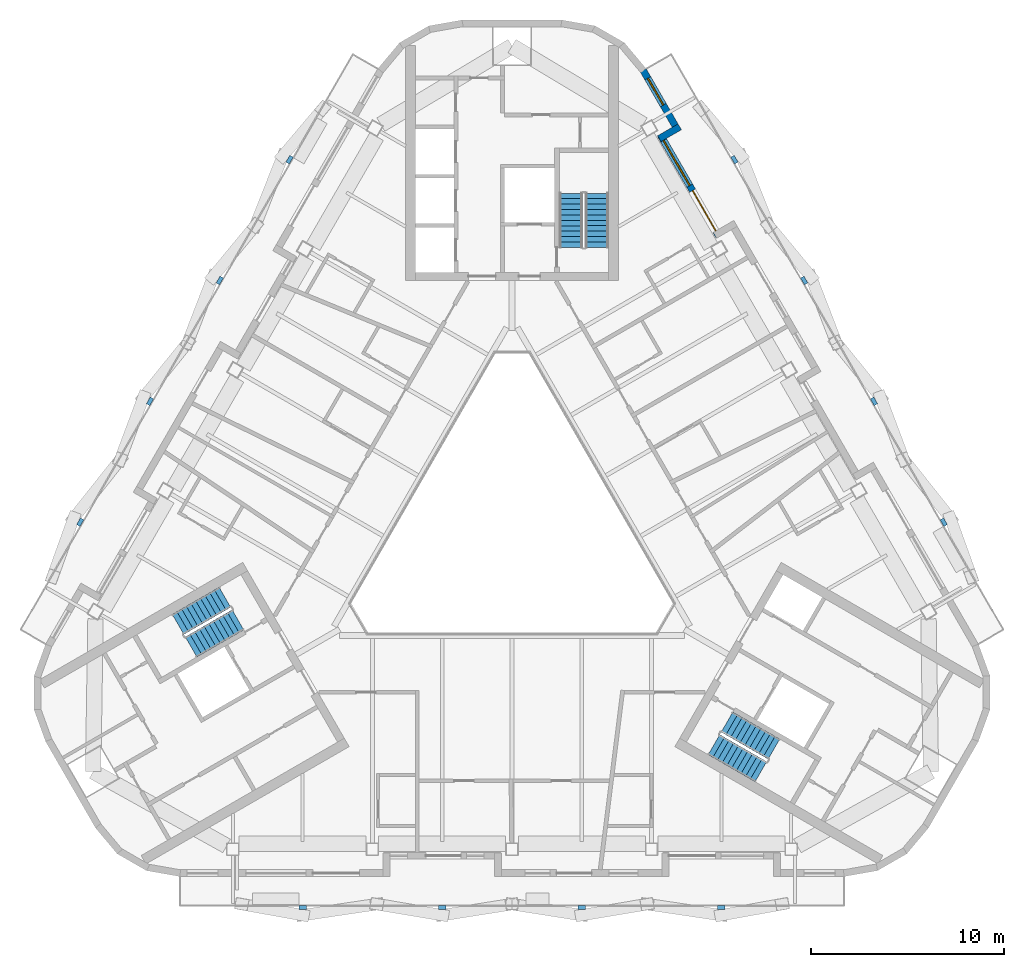
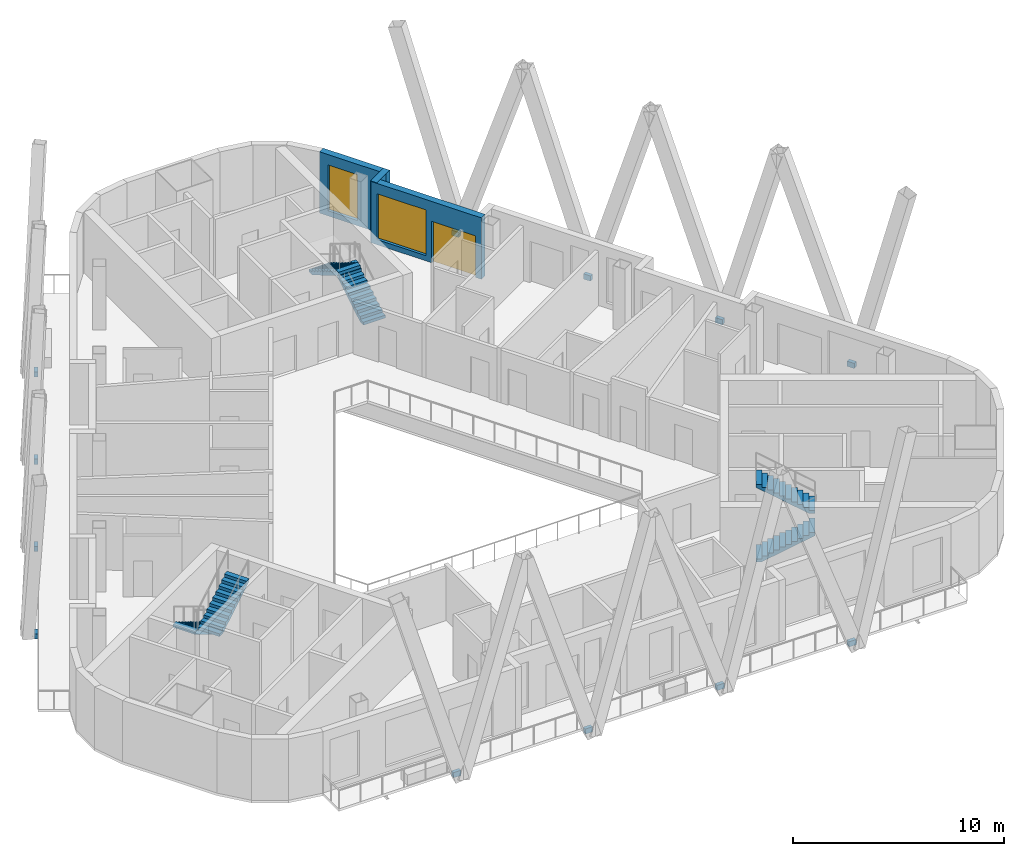
# One storey, part 8 of 13: 12 discrete accessories, 6 stair flights, 3 walls, 2 windows, 1 door, 3 openings, 3 elements without a shape of their own.
"""IFC4 building model written with IfcOpenShell, lengths in metres."""

from ifc_helpers import new_model, si_unit, direction, frame, frame_2d, origin, origin_2d, place, context, subcontext, project, spatial, polyline, rectangle, outline, extrude, material, layer, layer_set, type_object, element, fill, aggregate, save


model = new_model("IFC4")

# Units and contexts
model_context = context("Model", 3, precision=1e-05, world=origin(), true_north=direction((0.0, 1.0)))
body_context = subcontext(model_context, "Body", "Model", "MODEL_VIEW")
ifc_project = project(units=[si_unit("LENGTHUNIT", "METRE"), si_unit("AREAUNIT", "SQUARE_METRE"), si_unit("VOLUMEUNIT", "CUBIC_METRE"), si_unit("PLANEANGLEUNIT", "RADIAN"), si_unit("MASSUNIT", "GRAM", prefix="KILO")], contexts=[model_context])

# Site, building, storey
site_placement = place(None, origin())
site = spatial("IfcSite", under=ifc_project, at=site_placement, CompositionType="ELEMENT")
building_placement = place(site_placement, origin())
building = spatial("IfcBuilding", under=site, at=building_placement, Name="Apuvela Tower Hotel", CompositionType="ELEMENT")
storey_placement = place(building_placement, frame((0.0, 0.0, 280.0)))
storey = spatial("IfcBuildingStorey", under=building, at=storey_placement, Name="L69", CompositionType="ELEMENT", Elevation=280.0)

# Wall, openings, door, window
ifc_material_1 = material(Name="Concrete C40/50, dark pigmented precast panel", Category="concrete")
ifc_layer = layer(ifc_material_1, 0.35009765625)
ifc_layer_set = layer_set([ifc_layer], Name="ENV-WALL-350")
wall_type = type_object("IfcWallType", Name="ENV-WALL-350", PredefinedType="SOLIDWALL", material=ifc_layer_set)
wall_1_placement = place(storey_placement, frame((10.697998046875, 15.177978515625, 0.0), z_axis=(0.0, 0.0, 1.0), x_axis=(-0.499985371027, 0.866033849661, 0.0)))
wall_1 = element("IfcWall", 1, at=wall_1_placement, inside=storey, type_object=wall_type, Name="External wall L69-39", PredefinedType="SOLIDWALL", context=body_context, shape_type="SweptSolid", body=[
    extrude(rectangle(XDim=6.055419921875, YDim=0.35009765625, at=frame_2d((3.02783203125, 0.0))), origin(), (0.0, 0.0, 1.0), 3.550048828125),
])
opening_1_placement = place(wall_1_placement, frame((0.320068359375, 0.0, 0.0)))
opening_1 = element("IfcOpeningElement", 2, at=opening_1_placement, cuts=wall_1, Name="Opening BD24", PredefinedType="OPENING", context=body_context, shape_type="SweptSolid", body=[
    extrude(rectangle(XDim=2.39990234375, YDim=2.39990234375, at=frame_2d((1.199951171875, 1.199951171875))), frame((0.0, 0.18505859375, 0.0), z_axis=(0.0, -1.0, 0.0), x_axis=(1.0, 0.0, 0.0)), (0.0, 0.0, 1.0), 0.3701171875),
])
opening_2_placement = place(wall_1_placement, frame((3.02001953125, 0.0, 0.300048828125)))
opening_2 = element("IfcOpeningElement", 3, at=opening_2_placement, cuts=wall_1, Name="Opening WN27", PredefinedType="OPENING", context=body_context, shape_type="SweptSolid", body=[
    extrude(rectangle(XDim=2.699951171875, YDim=2.64990234375, at=frame_2d((1.35009765625, 1.324951171875))), frame((0.0, 0.18505859375, 0.0), z_axis=(0.0, -1.0, 0.0), x_axis=(1.0, 0.0, 0.0)), (0.0, 0.0, 1.0), 0.3701171875),
])
ifc_material_2 = material(Name="Aluminium 6063-T6, dark bronze anodised frame with dark tinted laminated glass", Category="aluminium")
door_type = type_object("IfcDoorType", Name="ENV-DOOR-BALCONY-2400x2400", OperationType="SLIDING_TO_LEFT", PredefinedType="DOOR", material=ifc_material_2)
door_placement = place(opening_1_placement, frame((2.39990234375, 0.0, 0.0), z_axis=(0.0, 0.0, 1.0), x_axis=(-1.0, 0.0, 0.0)))
door = element("IfcDoor", 4, at=door_placement, inside=storey, type_object=door_type, Name="Balcony door BD24", OperationType="SLIDING_TO_LEFT", OverallHeight=2.39990234375, OverallWidth=2.39990234375, PredefinedType="DOOR", context=body_context, shape_type="SweptSolid", body=[
    extrude(rectangle(XDim=2.39990234375, YDim=2.39990234375, at=frame_2d((1.199951171875, 1.199951171875))), frame((0.0, 0.02490234375, 0.0), z_axis=(0.0, -1.0, 0.0), x_axis=(1.0, 0.0, 0.0)), (0.0, 0.0, 1.0), 0.050048828125),
])
fill(opening_1, door)
ifc_material_3 = material(Name="Glass, dark tinted laminated insulated glazing unit", Category="glass")
window_type_1 = type_object("IfcWindowType", Name="ENV-WIN-2700x2650", PartitioningType="SINGLE_PANEL", PredefinedType="WINDOW", material=ifc_material_3)
window_1_placement = place(opening_2_placement, origin())
window_1 = element("IfcWindow", 5, at=window_1_placement, inside=storey, type_object=window_type_1, Name="Window WN27", OverallHeight=2.64990234375, OverallWidth=2.699951171875, PartitioningType="SINGLE_PANEL", PredefinedType="WINDOW", context=body_context, shape_type="SweptSolid", body=[
    extrude(rectangle(XDim=2.699951171875, YDim=2.64990234375, at=frame_2d((1.35009765625, 1.324951171875))), frame((0.0, 0.030029296875, 0.0), z_axis=(0.0, -1.0, 0.0), x_axis=(1.0, 0.0, 0.0)), (0.0, 0.0, 1.0), 0.06005859375),
])
fill(opening_2, window_1)

# Wall
wall_2_placement = place(storey_placement, frame((7.6171875, 20.223876953125, 0.0), z_axis=(0.0, 0.0, 1.0), x_axis=(0.866005645448, 0.500034220881, 0.0)))
element("IfcWall", 6, at=wall_2_placement, inside=storey, type_object=wall_type, Name="External wall L69-40", PredefinedType="SOLIDWALL", context=body_context, shape_type="SweptSolid", body=[
    extrude(rectangle(XDim=1.22021484375, YDim=0.35009765625, at=frame_2d((0.610107421875, 0.0))), origin(), (0.0, 0.0, 1.0), 3.550048828125),
])

# Wall, opening, window
wall_3_placement = place(storey_placement, frame((8.60986328125, 20.5947265625, 0.0), z_axis=(0.0, 0.0, 1.0), x_axis=(-0.499990402704, 0.866030944715, 0.0)))
wall_3 = element("IfcWall", 7, at=wall_3_placement, inside=storey, type_object=wall_type, Name="External wall L69-41", PredefinedType="SOLIDWALL", context=body_context, shape_type="SweptSolid", body=[
    extrude(rectangle(XDim=3.654296875, YDim=0.35009765625, at=frame_2d((1.8271484375, 0.0))), origin(), (0.0, 0.0, 1.0), 3.550048828125),
])
opening_3_placement = place(wall_3_placement, frame((1.5751953125, 0.0, 0.300048828125)))
opening_3 = element("IfcOpeningElement", 8, at=opening_3_placement, cuts=wall_3, Name="Opening WN16", PredefinedType="OPENING", context=body_context, shape_type="SweptSolid", body=[
    extrude(rectangle(XDim=1.60009765625, YDim=2.64990234375, at=frame_2d((0.800048828125, 1.324951171875))), frame((0.0, 0.18505859375, 0.0), z_axis=(0.0, -1.0, 0.0), x_axis=(1.0, 0.0, 0.0)), (0.0, 0.0, 1.0), 0.3701171875),
])
window_type_2 = type_object("IfcWindowType", Name="ENV-WIN-1600x2650", PartitioningType="SINGLE_PANEL", PredefinedType="WINDOW", material=ifc_material_3)
window_2_placement = place(opening_3_placement, origin())
window_2 = element("IfcWindow", 9, at=window_2_placement, inside=storey, type_object=window_type_2, Name="Window WN16", OverallHeight=2.64990234375, OverallWidth=1.60009765625, PartitioningType="SINGLE_PANEL", PredefinedType="WINDOW", context=body_context, shape_type="SweptSolid", body=[
    extrude(rectangle(XDim=1.60009765625, YDim=2.64990234375, at=frame_2d((0.800048828125, 1.324951171875))), frame((0.0, 0.030029296875, 0.0), z_axis=(0.0, -1.0, 0.0), x_axis=(1.0, 0.0, 0.0)), (0.0, 0.0, 1.0), 0.06005859375),
])
fill(opening_3, window_2)

# Stair, stair flights
ifc_material_4 = material(Name="Concrete C50/60", Category="concrete")
stair_type = type_object("IfcStairType", Name="COR-STAIR-22R", PredefinedType="HALF_TURN_STAIR", material=ifc_material_4)
stair_1_placement = place(storey_placement, origin())
stair_1 = element("IfcStair", 10, at=stair_1_placement, inside=storey, type_object=stair_type, Name="L69 Exit stair ST1", PredefinedType="HALF_TURN_STAIR")
stair_flight_type = type_object("IfcStairFlightType", Name="COR-FLIGHT-11R", PredefinedType="STRAIGHT", material=ifc_material_4)
stair_flight_1_placement = place(storey_placement, frame((4.39990234375, 14.60009765625, 0.0), z_axis=(0.0, 0.0, 1.0), x_axis=(0.0, 1.0, 0.0)))
stair_flight_1 = element("IfcStairFlight", 11, at=stair_flight_1_placement, type_object=stair_flight_type, Name="ST1 flight 1", NumberOfRisers=11, NumberOfTreads=10, PredefinedType="STRAIGHT", RiserHeight=0.168181818, TreadLength=0.28, context=body_context, shape_type="SweptSolid", body=[
    extrude(outline(polyline([(0.0, 0.0), (0.0, 0.168212890625), (0.280029296875, 0.168212890625), (0.280029296875, 0.33642578125), (0.56005859375, 0.33642578125), (0.56005859375, 0.504638671875), (0.840087890625, 0.504638671875), (0.840087890625, 0.672607421875), (1.1201171875, 0.672607421875), (1.1201171875, 0.8408203125), (1.39990234375, 0.8408203125), (1.39990234375, 1.009033203125), (1.679931640625, 1.009033203125), (1.679931640625, 1.17724609375), (1.9599609375, 1.17724609375), (1.9599609375, 1.345458984375), (2.239990234375, 1.345458984375), (2.239990234375, 1.513671875), (2.52001953125, 1.513671875), (2.52001953125, 1.681884765625), (2.800048828125, 1.681884765625), (2.800048828125, 1.85009765625), (2.800048828125, 1.5068359375), (0.291015625, 0.0), (0.0, 0.0)])), frame((0.0, 0.60009765625, 0.0), z_axis=(0.0, -1.0, 0.0), x_axis=(1.0, 0.0, 0.0)), (0.0, 0.0, 1.0), 1.199951171875),
])
stair_flight_2_placement = place(storey_placement, frame((3.050048828125, 17.39990234375, 1.85009765625), z_axis=(0.0, 0.0, 1.0), x_axis=(0.0, -1.0, 0.0)))
stair_flight_2 = element("IfcStairFlight", 12, at=stair_flight_2_placement, type_object=stair_flight_type, Name="ST1 flight 2", NumberOfRisers=11, NumberOfTreads=10, PredefinedType="STRAIGHT", RiserHeight=0.168181818, TreadLength=0.28, context=body_context, shape_type="SweptSolid", body=[
    extrude(outline(polyline([(0.0, 0.0), (0.0, 0.168212890625), (0.280029296875, 0.168212890625), (0.280029296875, 0.33642578125), (0.56005859375, 0.33642578125), (0.56005859375, 0.504638671875), (0.840087890625, 0.504638671875), (0.840087890625, 0.672607421875), (1.1201171875, 0.672607421875), (1.1201171875, 0.8408203125), (1.39990234375, 0.8408203125), (1.39990234375, 1.009033203125), (1.679931640625, 1.009033203125), (1.679931640625, 1.17724609375), (1.9599609375, 1.17724609375), (1.9599609375, 1.345458984375), (2.239990234375, 1.345458984375), (2.239990234375, 1.513671875), (2.52001953125, 1.513671875), (2.52001953125, 1.681884765625), (2.800048828125, 1.681884765625), (2.800048828125, 1.85009765625), (2.800048828125, 1.5068359375), (0.291015625, 0.0), (0.0, 0.0)])), frame((0.0, 0.60009765625, 0.0), z_axis=(0.0, -1.0, 0.0), x_axis=(1.0, 0.0, 0.0)), (0.0, 0.0, 1.0), 1.199951171875),
])
aggregate(stair_1, [stair_flight_1, stair_flight_2])

stair_2_placement = place(storey_placement, origin())
stair_2 = element("IfcStair", 13, at=stair_2_placement, inside=storey, type_object=stair_type, Name="L69 Exit stair ST2", PredefinedType="HALF_TURN_STAIR")
stair_flight_3_placement = place(storey_placement, frame((-14.843994140625, -3.489501953125, 0.0), z_axis=(0.0, 0.0, 1.0), x_axis=(-0.866025403784, -0.5, 0.0)))
stair_flight_3 = element("IfcStairFlight", 14, at=stair_flight_3_placement, type_object=stair_flight_type, Name="ST2 flight 1", NumberOfRisers=11, NumberOfTreads=10, PredefinedType="STRAIGHT", RiserHeight=0.168181818, TreadLength=0.28, context=body_context, shape_type="SweptSolid", body=[
    extrude(outline(polyline([(0.0, 0.0), (0.0, 0.168212890625), (0.280029296875, 0.168212890625), (0.280029296875, 0.33642578125), (0.56005859375, 0.33642578125), (0.56005859375, 0.504638671875), (0.840087890625, 0.504638671875), (0.840087890625, 0.672607421875), (1.1201171875, 0.672607421875), (1.1201171875, 0.8408203125), (1.39990234375, 0.8408203125), (1.39990234375, 1.009033203125), (1.679931640625, 1.009033203125), (1.679931640625, 1.17724609375), (1.9599609375, 1.17724609375), (1.9599609375, 1.345458984375), (2.239990234375, 1.345458984375), (2.239990234375, 1.513671875), (2.52001953125, 1.513671875), (2.52001953125, 1.681884765625), (2.800048828125, 1.681884765625), (2.800048828125, 1.85009765625), (2.800048828125, 1.5068359375), (0.291015625, 0.0), (0.0, 0.0)])), frame((0.0, 0.60009765625, 0.0), z_axis=(0.0, -1.0, 0.0), x_axis=(1.0, 0.0, 0.0)), (0.0, 0.0, 1.0), 1.199951171875),
])
stair_flight_4_placement = place(storey_placement, frame((-16.59375, -6.05859375, 1.85009765625), z_axis=(0.0, 0.0, 1.0), x_axis=(0.866025403784, 0.5, 0.0)))
stair_flight_4 = element("IfcStairFlight", 15, at=stair_flight_4_placement, type_object=stair_flight_type, Name="ST2 flight 2", NumberOfRisers=11, NumberOfTreads=10, PredefinedType="STRAIGHT", RiserHeight=0.168181818, TreadLength=0.28, context=body_context, shape_type="SweptSolid", body=[
    extrude(outline(polyline([(0.0, 0.0), (0.0, 0.168212890625), (0.280029296875, 0.168212890625), (0.280029296875, 0.33642578125), (0.56005859375, 0.33642578125), (0.56005859375, 0.504638671875), (0.840087890625, 0.504638671875), (0.840087890625, 0.672607421875), (1.1201171875, 0.672607421875), (1.1201171875, 0.8408203125), (1.39990234375, 0.8408203125), (1.39990234375, 1.009033203125), (1.679931640625, 1.009033203125), (1.679931640625, 1.17724609375), (1.9599609375, 1.17724609375), (1.9599609375, 1.345458984375), (2.239990234375, 1.345458984375), (2.239990234375, 1.513671875), (2.52001953125, 1.513671875), (2.52001953125, 1.681884765625), (2.800048828125, 1.681884765625), (2.800048828125, 1.85009765625), (2.800048828125, 1.5068359375), (0.291015625, 0.0), (0.0, 0.0)])), frame((0.0, 0.60009765625, 0.0), z_axis=(0.0, -1.0, 0.0), x_axis=(1.0, 0.0, 0.0)), (0.0, 0.0, 1.0), 1.199951171875),
])
aggregate(stair_2, [stair_flight_3, stair_flight_4])

stair_3_placement = place(storey_placement, origin())
stair_3 = element("IfcStair", 16, at=stair_3_placement, inside=storey, type_object=stair_type, Name="L69 Exit stair ST3", PredefinedType="HALF_TURN_STAIR")
stair_flight_5_placement = place(storey_placement, frame((10.444091796875, -11.110595703125, 0.0), z_axis=(0.0, 0.0, 1.0), x_axis=(0.866025403784, -0.5, 0.0)))
stair_flight_5 = element("IfcStairFlight", 17, at=stair_flight_5_placement, type_object=stair_flight_type, Name="ST3 flight 1", NumberOfRisers=11, NumberOfTreads=10, PredefinedType="STRAIGHT", RiserHeight=0.168181818, TreadLength=0.28, context=body_context, shape_type="SweptSolid", body=[
    extrude(outline(polyline([(0.0, 0.0), (0.0, 0.168212890625), (0.280029296875, 0.168212890625), (0.280029296875, 0.33642578125), (0.56005859375, 0.33642578125), (0.56005859375, 0.504638671875), (0.840087890625, 0.504638671875), (0.840087890625, 0.672607421875), (1.1201171875, 0.672607421875), (1.1201171875, 0.8408203125), (1.39990234375, 0.8408203125), (1.39990234375, 1.009033203125), (1.679931640625, 1.009033203125), (1.679931640625, 1.17724609375), (1.9599609375, 1.17724609375), (1.9599609375, 1.345458984375), (2.239990234375, 1.345458984375), (2.239990234375, 1.513671875), (2.52001953125, 1.513671875), (2.52001953125, 1.681884765625), (2.800048828125, 1.681884765625), (2.800048828125, 1.85009765625), (2.800048828125, 1.5068359375), (0.291015625, 0.0), (0.0, 0.0)])), frame((0.0, 0.60009765625, 0.0), z_axis=(0.0, -1.0, 0.0), x_axis=(1.0, 0.0, 0.0)), (0.0, 0.0, 1.0), 1.199951171875),
])
stair_flight_6_placement = place(storey_placement, frame((13.5439453125, -11.34130859375, 1.85009765625), z_axis=(0.0, 0.0, 1.0), x_axis=(-0.866025403784, 0.5, 0.0)))
stair_flight_6 = element("IfcStairFlight", 18, at=stair_flight_6_placement, type_object=stair_flight_type, Name="ST3 flight 2", NumberOfRisers=11, NumberOfTreads=10, PredefinedType="STRAIGHT", RiserHeight=0.168181818, TreadLength=0.28, context=body_context, shape_type="SweptSolid", body=[
    extrude(outline(polyline([(0.0, 0.0), (0.0, 0.168212890625), (0.280029296875, 0.168212890625), (0.280029296875, 0.33642578125), (0.56005859375, 0.33642578125), (0.56005859375, 0.504638671875), (0.840087890625, 0.504638671875), (0.840087890625, 0.672607421875), (1.1201171875, 0.672607421875), (1.1201171875, 0.8408203125), (1.39990234375, 0.8408203125), (1.39990234375, 1.009033203125), (1.679931640625, 1.009033203125), (1.679931640625, 1.17724609375), (1.9599609375, 1.17724609375), (1.9599609375, 1.345458984375), (2.239990234375, 1.345458984375), (2.239990234375, 1.513671875), (2.52001953125, 1.513671875), (2.52001953125, 1.681884765625), (2.800048828125, 1.681884765625), (2.800048828125, 1.85009765625), (2.800048828125, 1.5068359375), (0.291015625, 0.0), (0.0, 0.0)])), frame((0.0, 0.60009765625, 0.0), z_axis=(0.0, -1.0, 0.0), x_axis=(1.0, 0.0, 0.0)), (0.0, 0.0, 1.0), 1.199951171875),
])
aggregate(stair_3, [stair_flight_5, stair_flight_6])

# Discrete accessories
ifc_material_5 = material(Name="Steel S355, black paint system", Category="steel")
discrete_accessory_type = type_object("IfcDiscreteAccessoryType", Name="ENV-FIN-BRACKET", PredefinedType="BRACKET", material=ifc_material_5)
for number, where, z_axis, x_axis, name in (
    (19, (22.323974609375, 0.391357421875, -0.25), (0.0, 0.0, 1.0), (-0.5, 0.866025403784, 0.0), "Fin bracket NE124"),
    (20, (18.71630859375, 6.639892578125, -0.25), (0.0, 0.0, 1.0), (-0.5, 0.866025403784, 0.0), "Fin bracket NE125"),
    (21, (15.1083984375, 12.888671875, -0.25), (0.0, 0.0, 1.0), (-0.5, 0.866025403784, 0.0), "Fin bracket NE126"),
    (22, (11.5009765625, 19.137451171875, -0.25), (0.0, 0.0, 1.0), (-0.5, 0.866025403784, 0.0), "Fin bracket NE127"),
    (23, (-11.5009765625, 19.137451171875, -0.25), (0.0, 0.0, 1.0), (-0.5, -0.866025403784, 0.0), "Fin bracket NW273"),
    (24, (-15.1083984375, 12.888671875, -0.25), (0.0, 0.0, 1.0), (-0.5, -0.866025403784, 0.0), "Fin bracket NW274"),
    (25, (-18.71630859375, 6.639892578125, -0.25), (0.0, 0.0, 1.0), (-0.5, -0.866025403784, 0.0), "Fin bracket NW275"),
    (26, (-22.323974609375, 0.391357421875, -0.25), (0.0, 0.0, 1.0), (-0.5, -0.866025403784, 0.0), "Fin bracket NW276"),
    (27, (-10.822998046875, -19.52880859375, -0.25), (0.0, 0.0, 1.0), (1.0, 0.0, 0.0), "Fin bracket S423"),
    (28, (-3.607666015625, -19.52880859375, -0.25), (0.0, 0.0, 1.0), (1.0, 0.0, 0.0), "Fin bracket S424"),
    (29, (3.607666015625, -19.52880859375, -0.25), (0.0, 0.0, 1.0), (1.0, 0.0, 0.0), "Fin bracket S425"),
    (30, (10.822998046875, -19.52880859375, -0.25), (0.0, 0.0, 1.0), (1.0, 0.0, 0.0), "Fin bracket S426"),
):
    element("IfcDiscreteAccessory", number, at=place(storey_placement, frame(where, z_axis=z_axis, x_axis=x_axis)), inside=storey, type_object=discrete_accessory_type, Name=name, PredefinedType="BRACKET", context=body_context, shape_type="SweptSolid", body=[
        extrude(rectangle(XDim=0.39990234375, YDim=0.199951171875, at=origin_2d()), origin(), (0.0, 0.0, 1.0), 0.300048828125),
    ])

save(model, "model.ifc")
